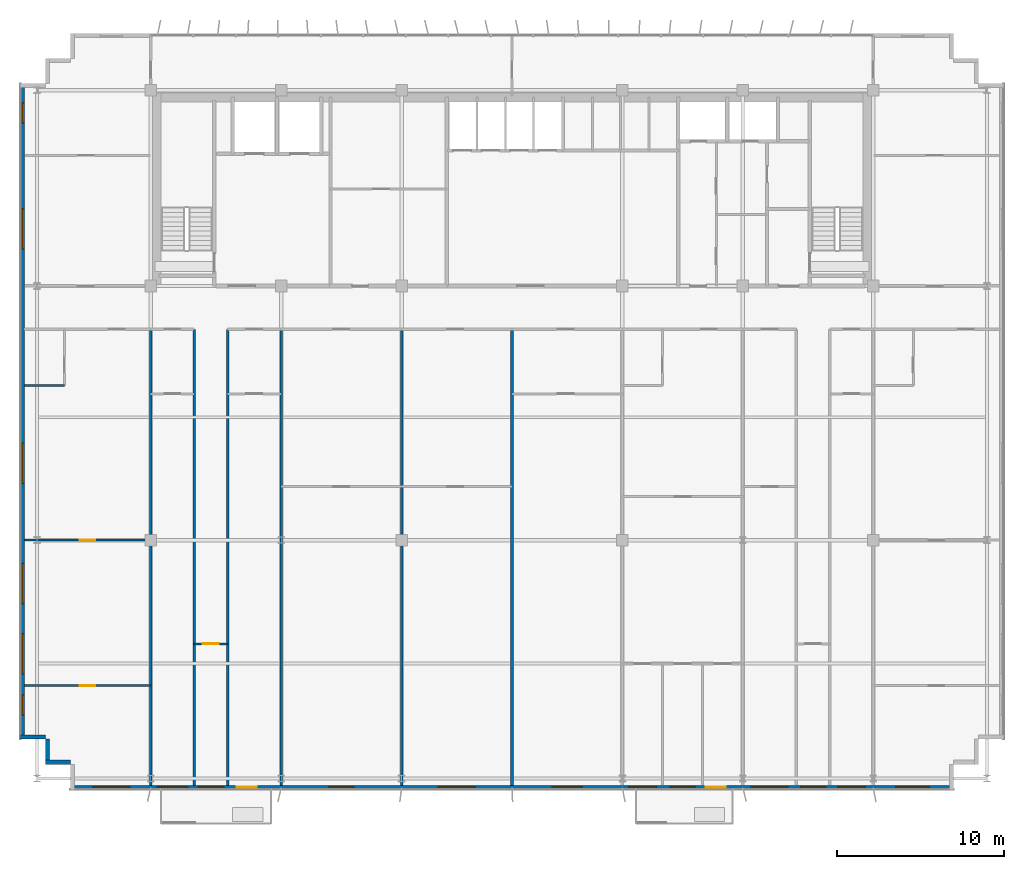
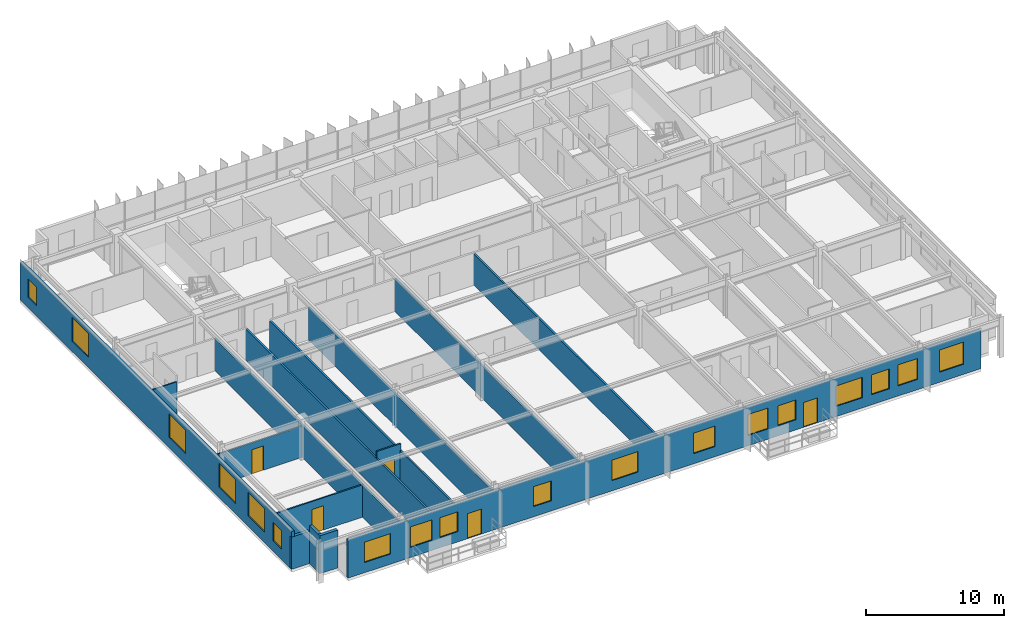
# One storey, part 14 of 20: 18 windows, 15 walls, 5 doors, 23 openings.
"""IFC4 building model written with IfcOpenShell, lengths in metres."""

import ifcopenshell
import ifcopenshell.guid

model = None  # the IFC model being written
_history = None  # IfcOwnerHistory: only IFC2X3 demands one
_inside = {}  # id of a spatial element -> (the spatial element, [elements in it])
_under = {}  # id of a project, library or spatial element -> (it, [spatial elements below it])
_declared = {}  # id of a project -> (the project, [libraries it declares])
_typed = {}  # id of a type object -> (the type object, [elements of that type])
_made_of = {}  # id of a material, layer set ... -> (it, [elements and type objects made of it])


def new_model(schema):
    """Start an empty IFC model of exactly this schema.

    Asked for "IFC4X3", IfcOpenShell would pick the latest addendum, in which some entities
    have other attributes; the version numbers below select the first issue.
    IFC2X3 requires an IfcOwnerHistory on every rooted entity: one is made here for all.
    """
    global model, _history
    if schema == "IFC4X3":
        model = ifcopenshell.file(schema_version=(4, 3, 0, 0))
    else:
        model = ifcopenshell.file(schema=schema)
    _inside.clear()
    _under.clear()
    _declared.clear()
    _typed.clear()
    _made_of.clear()
    _history = None
    if model.schema == "IFC2X3":
        org = make("IfcOrganization", Name="unknown")
        user = make(
            "IfcPersonAndOrganization",
            ThePerson=make("IfcPerson", FamilyName="unknown"),
            TheOrganization=org,
        )
        app = make(
            "IfcApplication",
            ApplicationDeveloper=org,
            Version="unknown",
            ApplicationFullName="unknown",
            ApplicationIdentifier="unknown",
        )
        _history = make(
            "IfcOwnerHistory",
            OwningUser=user,
            OwningApplication=app,
            ChangeAction="ADDED",
            CreationDate=0,
        )
    return model


def make(cls, **values):
    """One entity of the class cls with the attributes given. An attribute that is None is left unset."""
    return model.create_entity(
        cls, **{name: value for name, value in values.items() if value is not None}
    )


def rooted(cls, **values):
    """An entity with a GlobalId (a new one), such as an element, a storey or a relation."""
    return make(cls, GlobalId=ifcopenshell.guid.new(), OwnerHistory=_history, **values)


def si_unit(unit_type, name, prefix=None):
    """IfcSIUnit, for example si_unit("LENGTHUNIT", "METRE", prefix="MILLI")."""
    return make("IfcSIUnit", UnitType=unit_type, Prefix=prefix, Name=name)


def assignment(units):
    """IfcUnitAssignment: the units of a project."""
    return None if units is None else make("IfcUnitAssignment", Units=units)


def point(xyz):
    """IfcCartesianPoint."""
    return None if xyz is None else make("IfcCartesianPoint", Coordinates=xyz)


def direction(xyz):
    """IfcDirection."""
    return None if xyz is None else make("IfcDirection", DirectionRatios=xyz)


def frame(location, z_axis=None, x_axis=None):
    """IfcAxis2Placement3D, a coordinate frame: its origin and axes. An axis left out is left unset."""
    return make(
        "IfcAxis2Placement3D",
        Location=point(location),
        Axis=direction(z_axis),
        RefDirection=direction(x_axis),
    )


def frame_2d(location, x_axis=None):
    """IfcAxis2Placement2D, a coordinate frame in the plane: its origin and x axis."""
    return make(
        "IfcAxis2Placement2D", Location=point(location), RefDirection=direction(x_axis)
    )


def origin():
    """The frame at (0, 0, 0) with its axes left unset."""
    return frame((0.0, 0.0, 0.0))


def place(relative_to, where):
    """IfcLocalPlacement: puts the frame where relative to a parent placement (None: the world)."""
    return make(
        "IfcLocalPlacement", PlacementRelTo=relative_to, RelativePlacement=where
    )


def context(
    kind, dimensions, precision=None, world=None, true_north=None, identifier=None
):
    """IfcGeometricRepresentationContext, for example the 3D "Model" context."""
    return make(
        "IfcGeometricRepresentationContext",
        ContextIdentifier=identifier,
        ContextType=kind,
        CoordinateSpaceDimension=dimensions,
        Precision=precision,
        WorldCoordinateSystem=world,
        TrueNorth=true_north,
    )


def subcontext(parent, identifier, kind, view, scale=None):
    """IfcGeometricRepresentationSubContext, for example "Body" below "Model"."""
    return make(
        "IfcGeometricRepresentationSubContext",
        ContextIdentifier=identifier,
        ContextType=kind,
        ParentContext=parent,
        TargetScale=scale,
        TargetView=view,
    )


def project(units=None, contexts=None):
    """IfcProject with its units and contexts."""
    return rooted(
        "IfcProject",
        Name="project",
        RepresentationContexts=contexts,
        UnitsInContext=assignment(units),
    )


def spatial(cls, under=None, at=None, **own):
    """A site, building, storey or space (cls), placed at a placement, below another one or the project."""
    s = rooted(cls, ObjectPlacement=at, **own)
    if under is not None:
        _under.setdefault(under.id(), (under, []))[1].append(s)
    return s


def profile(cls, at=None, kind="AREA", **sizes):
    """A parametric profile (cls). Its sizes go by their IFC names, for example OverallWidth=200.0."""
    return make(cls, ProfileType=kind, Position=at, **sizes)


def rectangle(**sizes):
    """IfcRectangleProfileDef."""
    return profile("IfcRectangleProfileDef", **sizes)


def extrude(swept, where, along, depth):
    """IfcExtrudedAreaSolid: the profile swept, set in the frame where, extruded along a direction by depth."""
    return make(
        "IfcExtrudedAreaSolid",
        SweptArea=swept,
        Position=where,
        ExtrudedDirection=direction(along),
        Depth=depth,
    )


def shape(context_of_items, identifier, shape_type, items):
    """IfcShapeRepresentation: the items that make up one representation, for example the "Body"."""
    return make(
        "IfcShapeRepresentation",
        ContextOfItems=context_of_items,
        RepresentationIdentifier=identifier,
        RepresentationType=shape_type,
        Items=items,
    )


def source(mapping_origin, context_of_items, identifier, shape_type, items):
    """IfcRepresentationMap: a shape defined once, which mapped items show again and again."""
    return make(
        "IfcRepresentationMap",
        MappingOrigin=mapping_origin,
        MappedRepresentation=shape(context_of_items, identifier, shape_type, items),
    )


def transform(
    local_origin,
    x_axis=None,
    y_axis=None,
    z_axis=None,
    scale=None,
    scale2=None,
    scale3=None,
    uniform=True,
):
    """IfcCartesianTransformationOperator3D, or its non-uniform kind. x_axis, y_axis, z_axis: its Axis1, 2, 3."""
    if uniform:
        return make(
            "IfcCartesianTransformationOperator3D",
            Axis1=direction(x_axis),
            Axis2=direction(y_axis),
            LocalOrigin=point(local_origin),
            Scale=scale,
            Axis3=direction(z_axis),
        )
    return make(
        "IfcCartesianTransformationOperator3DnonUniform",
        Axis1=direction(x_axis),
        Axis2=direction(y_axis),
        LocalOrigin=point(local_origin),
        Scale=scale,
        Axis3=direction(z_axis),
        Scale2=scale2,
        Scale3=scale3,
    )


def mapped(mapping_source, mapping_target):
    """IfcMappedItem: shows the shape of a source again, moved by a transform."""
    return make(
        "IfcMappedItem", MappingSource=mapping_source, MappingTarget=mapping_target
    )


def material(Name=None, Category=None):
    """IfcMaterial."""
    return make("IfcMaterial", Name=Name, Category=Category)


def layer(
    of_material, thickness, ventilated=None, Name=None, Category=None, Priority=None
):
    """IfcMaterialLayer: one layer of a wall or slab, of a material (None: an air gap)."""
    return make(
        "IfcMaterialLayer",
        Material=of_material,
        LayerThickness=thickness,
        IsVentilated=ventilated,
        Name=Name,
        Category=Category,
        Priority=Priority,
    )


def layer_set(layers, Name=None):
    """IfcMaterialLayerSet."""
    return make("IfcMaterialLayerSet", MaterialLayers=layers, LayerSetName=Name)


def made_of(thing, what):
    """Note that an element or type object is made of a material, layer set ...; save() writes the relation."""
    if what is not None:
        _made_of.setdefault(what.id(), (what, []))[1].append(thing)
    return thing


def type_object(cls, material=None, **own):
    """A type object (cls), such as IfcWallType, which elements share."""
    return made_of(rooted(cls, **own), material)


def element(
    cls,
    number,
    at=None,
    inside=None,
    cuts=None,
    type_object=None,
    material=None,
    context=None,
    identifier="Body",
    shape_type=None,
    held_by="IfcProductDefinitionShape",
    body=None,
    shapes=None,
    **own,
):
    """One element of the class cls, such as IfcWall. Its Tag is "e" and its number.

    at: its placement. inside: the storey or other place that contains it. cuts: it is an
    opening in that element (IfcRelVoidsElement). A single representation is given by context,
    identifier, shape_type and body (its items); several are given by shapes. held_by: the class
    of the entity that holds the representations. save() writes the other relations.
    """
    e = rooted(cls, Tag="e%d" % number, ObjectPlacement=at, **own)
    if body is not None:
        shapes = [shape(context, identifier, shape_type, body)]
    if shapes is not None:
        e.Representation = make(held_by, Representations=shapes)
    if inside is not None:
        _inside.setdefault(inside.id(), (inside, []))[1].append(e)
    if cuts is not None:
        rooted(
            "IfcRelVoidsElement", RelatingBuildingElement=cuts, RelatedOpeningElement=e
        )
    if type_object is not None:
        _typed.setdefault(type_object.id(), (type_object, []))[1].append(e)
    return made_of(e, material)


def fill(opening, filler):
    """IfcRelFillsElement: the door or window that sits in an opening."""
    return rooted(
        "IfcRelFillsElement",
        RelatingOpeningElement=opening,
        RelatedBuildingElement=filler,
    )


def aggregate(whole, parts):
    """IfcRelAggregates: a whole, such as a stair, and the parts it consists of."""
    return rooted("IfcRelAggregates", RelatingObject=whole, RelatedObjects=parts)


def save(model, path):
    """Write the relations noted so far, then the file.

    IfcRelAggregates (storeys below a building ...), IfcRelContainedInSpatialStructure (elements
    in a storey), IfcRelDefinesByType, IfcRelAssociatesMaterial and IfcRelDeclares: one each for
    every whole, place, type object, material and project.
    """
    for whole, parts in _under.values():
        aggregate(whole, parts)
    for where, things in _inside.values():
        rooted(
            "IfcRelContainedInSpatialStructure",
            RelatedElements=things,
            RelatingStructure=where,
        )
    for kind, things in _typed.values():
        rooted("IfcRelDefinesByType", RelatedObjects=things, RelatingType=kind)
    for what, things in _made_of.values():
        rooted("IfcRelAssociatesMaterial", RelatedObjects=things, RelatingMaterial=what)
    for by, libraries in _declared.values():
        rooted("IfcRelDeclares", RelatingContext=by, RelatedDefinitions=libraries)
    model.write(path)


model = new_model("IFC4")

# Units and contexts
model_context = context("Model", 3, precision=1e-05, world=origin(), true_north=direction((0.0, 1.0)))
body_context = subcontext(model_context, "Body", "Model", "MODEL_VIEW")
ifc_project = project(units=[si_unit("LENGTHUNIT", "METRE"), si_unit("AREAUNIT", "SQUARE_METRE"), si_unit("VOLUMEUNIT", "CUBIC_METRE"), si_unit("PLANEANGLEUNIT", "RADIAN"), si_unit("MASSUNIT", "GRAM", prefix="KILO")], contexts=[model_context])

# Site, building, storey
site_placement = place(None, origin())
site = spatial("IfcSite", under=ifc_project, at=site_placement, CompositionType="ELEMENT")
building_placement = place(site_placement, origin())
building = spatial("IfcBuilding", under=site, at=building_placement, Name="Trelvane Seafront Commons", CompositionType="ELEMENT")
storey_placement = place(building_placement, frame((0.0, 0.0, 164.5)))
storey = spatial("IfcBuildingStorey", under=building, at=storey_placement, Name="L43", CompositionType="ELEMENT", Elevation=164.5)

# Walls
ifc_material_1 = material(Name="Precast concrete C40/50", Category="concrete")
ifc_layer_1 = layer(ifc_material_1, 0.239990234375, Name="ARCH-WALL-EXT240")
ifc_layer_set_1 = layer_set([ifc_layer_1], Name="Precast concrete C40/50")
wall_type_1 = type_object("IfcWallType", Name="ARCH-WALL-EXT240", PredefinedType="SOLIDWALL", material=ifc_layer_set_1)
for number, where, z_axis, x_axis, name in (
    (1, (10.800048828125, 4.919921875, 0.0), (0.0, 0.0, 1.0), (-1.0, 0.0, 0.0), "EW-L43-00844"),
    (2, (9.419921875, 4.800048828125, 0.0), (0.0, 0.0, 1.0), (0.0, 1.0, 0.0), "EW-L43-00845"),
):
    element("IfcWall", number, at=place(storey_placement, frame(where, z_axis=z_axis, x_axis=x_axis)), inside=storey, type_object=wall_type_1, Name=name, PredefinedType="SOLIDWALL", context=body_context, shape_type="SweptSolid", body=[
        extrude(rectangle(XDim=1.5, YDim=0.239990234375, at=frame_2d((0.75, 0.0))), origin(), (0.0, 0.0, 1.0), 3.35009765625),
    ])
wall_1_placement = place(storey_placement, frame((9.300048828125, 6.419921875, 0.0), z_axis=(0.0, 0.0, 1.0), x_axis=(-1.0, 0.0, 0.0)))
element("IfcWall", 3, at=wall_1_placement, inside=storey, type_object=wall_type_1, Name="EW-L43-00846", PredefinedType="SOLIDWALL", context=body_context, shape_type="SweptSolid", body=[
    extrude(rectangle(XDim=1.5, YDim=0.239990234375, at=frame_2d((0.75, 0.0))), origin(), (0.0, 0.0, 1.0), 2.85009765625),
])

# Wall, openings, windows
wall_2_placement = place(storey_placement, frame((7.919921875, 6.300048828125, 0.0), z_axis=(0.0, 0.0, 1.0), x_axis=(0.0, 1.0, 0.0)))
wall_2 = element("IfcWall", 4, at=wall_2_placement, inside=storey, type_object=wall_type_1, Name="EW-L43-00847", PredefinedType="SOLIDWALL", context=body_context, shape_type="SweptSolid", body=[
    extrude(rectangle(XDim=39.199951171875, YDim=0.239990234375, at=frame_2d((19.60009765625, 0.0))), origin(), (0.0, 0.0, 1.0), 3.35009765625),
])
opening_1_placement = place(wall_2_placement, frame((1.449951171875, 0.0, 0.919921875)))
opening_1 = element("IfcOpeningElement", 5, at=opening_1_placement, cuts=wall_2, Name="Opening W05", PredefinedType="OPENING", context=body_context, shape_type="SweptSolid", body=[
    extrude(rectangle(XDim=1.199951171875, YDim=1.64990234375, at=frame_2d((0.60009765625, 0.824951171875))), frame((0.0, 0.1298828125, 0.0), z_axis=(0.0, -1.0, 0.0), x_axis=(1.0, 0.0, 0.0)), (0.0, 0.0, 1.0), 0.260009765625),
])
opening_2_placement = place(wall_2_placement, frame((3.89990234375, 0.0, 0.919921875)))
opening_2 = element("IfcOpeningElement", 6, at=opening_2_placement, cuts=wall_2, Name="Opening W08", PredefinedType="OPENING", context=body_context, shape_type="SweptSolid", body=[
    extrude(rectangle(XDim=2.39990234375, YDim=2.10009765625, at=frame_2d((1.199951171875, 1.050048828125))), frame((0.0, 0.1298828125, 0.0), z_axis=(0.0, -1.0, 0.0), x_axis=(1.0, 0.0, 0.0)), (0.0, 0.0, 1.0), 0.260009765625),
])
opening_3_placement = place(wall_2_placement, frame((8.10009765625, 0.0, 0.919921875)))
opening_3 = element("IfcOpeningElement", 7, at=opening_3_placement, cuts=wall_2, Name="Opening W08", PredefinedType="OPENING", context=body_context, shape_type="SweptSolid", body=[
    extrude(rectangle(XDim=2.39990234375, YDim=2.10009765625, at=frame_2d((1.199951171875, 1.050048828125))), frame((0.0, 0.1298828125, 0.0), z_axis=(0.0, -1.0, 0.0), x_axis=(1.0, 0.0, 0.0)), (0.0, 0.0, 1.0), 0.260009765625),
])
opening_4_placement = place(wall_2_placement, frame((15.300048828125, 0.0, 0.919921875)))
opening_4 = element("IfcOpeningElement", 8, at=opening_4_placement, cuts=wall_2, Name="Opening W08", PredefinedType="OPENING", context=body_context, shape_type="SweptSolid", body=[
    extrude(rectangle(XDim=2.39990234375, YDim=2.10009765625, at=frame_2d((1.199951171875, 1.050048828125))), frame((0.0, 0.1298828125, 0.0), z_axis=(0.0, -1.0, 0.0), x_axis=(1.0, 0.0, 0.0)), (0.0, 0.0, 1.0), 0.260009765625),
])
opening_5_placement = place(wall_2_placement, frame((29.300048828125, 0.0, 0.919921875)))
opening_5 = element("IfcOpeningElement", 9, at=opening_5_placement, cuts=wall_2, Name="Opening W08", PredefinedType="OPENING", context=body_context, shape_type="SweptSolid", body=[
    extrude(rectangle(XDim=2.39990234375, YDim=2.10009765625, at=frame_2d((1.199951171875, 1.050048828125))), frame((0.0, 0.1298828125, 0.0), z_axis=(0.0, -1.0, 0.0), x_axis=(1.0, 0.0, 0.0)), (0.0, 0.0, 1.0), 0.260009765625),
])
opening_6_placement = place(wall_2_placement, frame((36.85009765625, 0.0, 0.919921875)))
opening_6 = element("IfcOpeningElement", 10, at=opening_6_placement, cuts=wall_2, Name="Opening W05", PredefinedType="OPENING", context=body_context, shape_type="SweptSolid", body=[
    extrude(rectangle(XDim=1.199951171875, YDim=1.64990234375, at=frame_2d((0.60009765625, 0.824951171875))), frame((0.0, 0.1298828125, 0.0), z_axis=(0.0, -1.0, 0.0), x_axis=(1.0, 0.0, 0.0)), (0.0, 0.0, 1.0), 0.260009765625),
])
ifc_material_2 = material(Name="Low-E coastal double glazing", Category="glass")
window_type_1 = type_object("IfcWindowType", Name="ARCH-WIN-W08", PartitioningType="SINGLE_PANEL", PredefinedType="WINDOW", material=ifc_material_2)
shared_shape_1 = source(origin(), body_context, "Body", "SweptSolid", [
    extrude(rectangle(XDim=2.39990234375, YDim=2.10009765625, at=frame_2d((1.199951171875, 1.050048828125))), frame((0.0, 0.030029296875, 0.0), z_axis=(0.0, -1.0, 0.0), x_axis=(1.0, 0.0, 0.0)), (0.0, 0.0, 1.0), 0.06005859375),
])
window_1_placement = place(opening_2_placement, origin())
window_1 = element("IfcWindow", 11, at=window_1_placement, inside=storey, type_object=window_type_1, Name="WIN-L43-EW-01015", OverallHeight=2.10009765625, OverallWidth=2.39990234375, PartitioningType="SINGLE_PANEL", PredefinedType="WINDOW", context=body_context, shape_type="MappedRepresentation", body=[
    mapped(shared_shape_1, transform((0.0, 0.0, 0.0), x_axis=(1.0, 0.0, 0.0), y_axis=(0.0, 1.0, 0.0), z_axis=(0.0, 0.0, 1.0), scale=1.0)),
])
fill(opening_2, window_1)
window_2_placement = place(opening_3_placement, origin())
window_2 = element("IfcWindow", 12, at=window_2_placement, inside=storey, type_object=window_type_1, Name="WIN-L43-EW-01016", OverallHeight=2.10009765625, OverallWidth=2.39990234375, PartitioningType="SINGLE_PANEL", PredefinedType="WINDOW", context=body_context, shape_type="MappedRepresentation", body=[
    mapped(shared_shape_1, transform((0.0, 0.0, 0.0), x_axis=(1.0, 0.0, 0.0), y_axis=(0.0, 1.0, 0.0), z_axis=(0.0, 0.0, 1.0), scale=1.0)),
])
fill(opening_3, window_2)
window_3_placement = place(opening_4_placement, origin())
window_3 = element("IfcWindow", 13, at=window_3_placement, inside=storey, type_object=window_type_1, Name="WIN-L43-EW-01017", OverallHeight=2.10009765625, OverallWidth=2.39990234375, PartitioningType="SINGLE_PANEL", PredefinedType="WINDOW", context=body_context, shape_type="MappedRepresentation", body=[
    mapped(shared_shape_1, transform((0.0, 0.0, 0.0), x_axis=(1.0, 0.0, 0.0), y_axis=(0.0, 1.0, 0.0), z_axis=(0.0, 0.0, 1.0), scale=1.0)),
])
fill(opening_4, window_3)
window_4_placement = place(opening_5_placement, origin())
window_4 = element("IfcWindow", 14, at=window_4_placement, inside=storey, type_object=window_type_1, Name="WIN-L43-EW-01018", OverallHeight=2.10009765625, OverallWidth=2.39990234375, PartitioningType="SINGLE_PANEL", PredefinedType="WINDOW", context=body_context, shape_type="MappedRepresentation", body=[
    mapped(shared_shape_1, transform((0.0, 0.0, 0.0), x_axis=(1.0, 0.0, 0.0), y_axis=(0.0, 1.0, 0.0), z_axis=(0.0, 0.0, 1.0), scale=1.0)),
])
fill(opening_5, window_4)
window_type_2 = type_object("IfcWindowType", Name="ARCH-WIN-W05", PartitioningType="SINGLE_PANEL", PredefinedType="WINDOW", material=ifc_material_2)
shared_shape_2 = source(origin(), body_context, "Body", "SweptSolid", [
    extrude(rectangle(XDim=1.199951171875, YDim=1.64990234375, at=frame_2d((0.60009765625, 0.824951171875))), frame((0.0, 0.030029296875, 0.0), z_axis=(0.0, -1.0, 0.0), x_axis=(1.0, 0.0, 0.0)), (0.0, 0.0, 1.0), 0.06005859375),
])
window_5_placement = place(opening_1_placement, origin())
window_5 = element("IfcWindow", 15, at=window_5_placement, inside=storey, type_object=window_type_2, Name="WIN-L43-EW-01014", OverallHeight=1.64990234375, OverallWidth=1.199951171875, PartitioningType="SINGLE_PANEL", PredefinedType="WINDOW", context=body_context, shape_type="MappedRepresentation", body=[
    mapped(shared_shape_2, transform((0.0, 0.0, 0.0), x_axis=(1.0, 0.0, 0.0), y_axis=(0.0, 1.0, 0.0), z_axis=(0.0, 0.0, 1.0), scale=1.0)),
])
fill(opening_1, window_5)
window_6_placement = place(opening_6_placement, origin())
window_6 = element("IfcWindow", 16, at=window_6_placement, inside=storey, type_object=window_type_2, Name="WIN-L43-EW-01019", OverallHeight=1.64990234375, OverallWidth=1.199951171875, PartitioningType="SINGLE_PANEL", PredefinedType="WINDOW", context=body_context, shape_type="MappedRepresentation", body=[
    mapped(shared_shape_2, transform((0.0, 0.0, 0.0), x_axis=(1.0, 0.0, 0.0), y_axis=(0.0, 1.0, 0.0), z_axis=(0.0, 0.0, 1.0), scale=1.0)),
])
fill(opening_6, window_6)

# Wall, openings, doors, windows
wall_3_placement = place(storey_placement, frame((63.60009765625, 3.419921875, 0.0), z_axis=(0.0, 0.0, 1.0), x_axis=(-1.0, 0.0, 0.0)))
wall_3 = element("IfcWall", 17, at=wall_3_placement, inside=storey, type_object=wall_type_1, Name="EW-L43-00861", PredefinedType="SOLIDWALL", context=body_context, shape_type="SweptSolid", body=[
    extrude(rectangle(XDim=52.800048828125, YDim=0.239990234375, at=frame_2d((26.39990234375, 0.0))), origin(), (0.0, 0.0, 1.0), 3.35009765625),
])
opening_7_placement = place(wall_3_placement, frame((1.445068359375, 0.0, 0.89990234375)))
opening_7 = element("IfcOpeningElement", 18, at=opening_7_placement, cuts=wall_3, Name="Opening W06", PredefinedType="OPENING", context=body_context, shape_type="SweptSolid", body=[
    extrude(rectangle(XDim=2.0, YDim=1.949951171875, at=frame_2d((1.0, 0.97509765625))), frame((0.0, 0.1298828125, 0.0), z_axis=(0.0, -1.0, 0.0), x_axis=(1.0, 0.0, 0.0)), (0.0, 0.0, 1.0), 0.260009765625),
])
opening_8_placement = place(wall_3_placement, frame((5.27490234375, 0.0, 0.89990234375)))
opening_8 = element("IfcOpeningElement", 19, at=opening_8_placement, cuts=wall_3, Name="Opening W07", PredefinedType="OPENING", context=body_context, shape_type="SweptSolid", body=[
    extrude(rectangle(XDim=1.64990234375, YDim=1.85009765625, at=frame_2d((0.824951171875, 0.925048828125))), frame((0.0, 0.1298828125, 0.0), z_axis=(0.0, -1.0, 0.0), x_axis=(1.0, 0.0, 0.0)), (0.0, 0.0, 1.0), 0.260009765625),
])
opening_9_placement = place(wall_3_placement, frame((7.64990234375, 0.0, 0.89990234375)))
opening_9 = element("IfcOpeningElement", 20, at=opening_9_placement, cuts=wall_3, Name="Opening W03", PredefinedType="OPENING", context=body_context, shape_type="SweptSolid", body=[
    extrude(rectangle(XDim=1.5, YDim=1.75, at=frame_2d((0.75, 0.875))), frame((0.0, 0.1298828125, 0.0), z_axis=(0.0, -1.0, 0.0), x_axis=(1.0, 0.0, 0.0)), (0.0, 0.0, 1.0), 0.260009765625),
])
opening_10_placement = place(wall_3_placement, frame((9.89990234375, 0.0, 0.89990234375)))
opening_10 = element("IfcOpeningElement", 21, at=opening_10_placement, cuts=wall_3, Name="Opening W02", PredefinedType="OPENING", context=body_context, shape_type="SweptSolid", body=[
    extrude(rectangle(XDim=2.199951171875, YDim=1.800048828125, at=frame_2d((1.10009765625, 0.89990234375))), frame((0.0, 0.1298828125, 0.0), z_axis=(0.0, -1.0, 0.0), x_axis=(1.0, 0.0, 0.0)), (0.0, 0.0, 1.0), 0.260009765625),
])
opening_11_placement = place(wall_3_placement, frame((13.6201171875, 0.0, 0.0)))
opening_11 = element("IfcOpeningElement", 22, at=opening_11_placement, cuts=wall_3, Name="Opening BD-L43-99", PredefinedType="OPENING", context=body_context, shape_type="SweptSolid", body=[
    extrude(rectangle(XDim=1.199951171875, YDim=2.199951171875, at=frame_2d((0.60009765625, 1.10009765625))), frame((0.0, 0.1298828125, 0.0), z_axis=(0.0, -1.0, 0.0), x_axis=(1.0, 0.0, 0.0)), (0.0, 0.0, 1.0), 0.260009765625),
])
opening_12_placement = place(wall_3_placement, frame((15.449951171875, 0.0, 0.89990234375)))
opening_12 = element("IfcOpeningElement", 23, at=opening_12_placement, cuts=wall_3, Name="Opening W03", PredefinedType="OPENING", context=body_context, shape_type="SweptSolid", body=[
    extrude(rectangle(XDim=1.5, YDim=1.75, at=frame_2d((0.75, 0.875))), frame((0.0, 0.1298828125, 0.0), z_axis=(0.0, -1.0, 0.0), x_axis=(1.0, 0.0, 0.0)), (0.0, 0.0, 1.0), 0.260009765625),
])
opening_13_placement = place(wall_3_placement, frame((17.77490234375, 0.0, 0.89990234375)))
opening_13 = element("IfcOpeningElement", 24, at=opening_13_placement, cuts=wall_3, Name="Opening W07", PredefinedType="OPENING", context=body_context, shape_type="SweptSolid", body=[
    extrude(rectangle(XDim=1.64990234375, YDim=1.85009765625, at=frame_2d((0.824951171875, 0.925048828125))), frame((0.0, 0.1298828125, 0.0), z_axis=(0.0, -1.0, 0.0), x_axis=(1.0, 0.0, 0.0)), (0.0, 0.0, 1.0), 0.260009765625),
])
opening_14_placement = place(wall_3_placement, frame((22.199951171875, 0.0, 0.89990234375)))
opening_14 = element("IfcOpeningElement", 25, at=opening_14_placement, cuts=wall_3, Name="Opening W01", PredefinedType="OPENING", context=body_context, shape_type="SweptSolid", body=[
    extrude(rectangle(XDim=1.800048828125, YDim=1.800048828125, at=frame_2d((0.89990234375, 0.89990234375))), frame((0.0, 0.1298828125, 0.0), z_axis=(0.0, -1.0, 0.0), x_axis=(1.0, 0.0, 0.0)), (0.0, 0.0, 1.0), 0.260009765625),
])
opening_15_placement = place(wall_3_placement, frame((28.60009765625, 0.0, 0.89990234375)))
opening_15 = element("IfcOpeningElement", 26, at=opening_15_placement, cuts=wall_3, Name="Opening W02", PredefinedType="OPENING", context=body_context, shape_type="SweptSolid", body=[
    extrude(rectangle(XDim=2.199951171875, YDim=1.800048828125, at=frame_2d((1.10009765625, 0.89990234375))), frame((0.0, 0.1298828125, 0.0), z_axis=(0.0, -1.0, 0.0), x_axis=(1.0, 0.0, 0.0)), (0.0, 0.0, 1.0), 0.260009765625),
])
opening_16_placement = place(wall_3_placement, frame((35.85009765625, 0.0, 0.89990234375)))
opening_16 = element("IfcOpeningElement", 27, at=opening_16_placement, cuts=wall_3, Name="Opening W03", PredefinedType="OPENING", context=body_context, shape_type="SweptSolid", body=[
    extrude(rectangle(XDim=1.5, YDim=1.75, at=frame_2d((0.75, 0.875))), frame((0.0, 0.1298828125, 0.0), z_axis=(0.0, -1.0, 0.0), x_axis=(1.0, 0.0, 0.0)), (0.0, 0.0, 1.0), 0.260009765625),
])
opening_17_placement = place(wall_3_placement, frame((41.656005859375, 0.0, 0.0)))
opening_17 = element("IfcOpeningElement", 28, at=opening_17_placement, cuts=wall_3, Name="Opening BD-L43-100", PredefinedType="OPENING", context=body_context, shape_type="SweptSolid", body=[
    extrude(rectangle(XDim=1.199951171875, YDim=2.199951171875, at=frame_2d((0.60009765625, 1.10009765625))), frame((0.0, 0.1298828125, 0.0), z_axis=(0.0, -1.0, 0.0), x_axis=(1.0, 0.0, 0.0)), (0.0, 0.0, 1.0), 0.260009765625),
])
opening_18_placement = place(wall_3_placement, frame((43.64990234375, 0.0, 0.89990234375)))
opening_18 = element("IfcOpeningElement", 29, at=opening_18_placement, cuts=wall_3, Name="Opening W03", PredefinedType="OPENING", context=body_context, shape_type="SweptSolid", body=[
    extrude(rectangle(XDim=1.5, YDim=1.75, at=frame_2d((0.75, 0.875))), frame((0.0, 0.1298828125, 0.0), z_axis=(0.0, -1.0, 0.0), x_axis=(1.0, 0.0, 0.0)), (0.0, 0.0, 1.0), 0.260009765625),
])
opening_19_placement = place(wall_3_placement, frame((45.800048828125, 0.0, 0.89990234375)))
opening_19 = element("IfcOpeningElement", 30, at=opening_19_placement, cuts=wall_3, Name="Opening W01", PredefinedType="OPENING", context=body_context, shape_type="SweptSolid", body=[
    extrude(rectangle(XDim=1.800048828125, YDim=1.800048828125, at=frame_2d((0.89990234375, 0.89990234375))), frame((0.0, 0.1298828125, 0.0), z_axis=(0.0, -1.0, 0.0), x_axis=(1.0, 0.0, 0.0)), (0.0, 0.0, 1.0), 0.260009765625),
])
opening_20_placement = place(wall_3_placement, frame((49.2548828125, 0.0, 0.89990234375)))
opening_20 = element("IfcOpeningElement", 31, at=opening_20_placement, cuts=wall_3, Name="Opening W02", PredefinedType="OPENING", context=body_context, shape_type="SweptSolid", body=[
    extrude(rectangle(XDim=2.199951171875, YDim=1.800048828125, at=frame_2d((1.10009765625, 0.89990234375))), frame((0.0, 0.1298828125, 0.0), z_axis=(0.0, -1.0, 0.0), x_axis=(1.0, 0.0, 0.0)), (0.0, 0.0, 1.0), 0.260009765625),
])
ifc_material_3 = material(Name="Powder-coated aluminium frame", Category="aluminium")
door_type_1 = type_object("IfcDoorType", Name="ARCH-DR-BAL1200", OperationType="NOTDEFINED", PredefinedType="DOOR", material=ifc_material_3)
shared_shape_3 = source(origin(), body_context, "Body", "SweptSolid", [
    extrude(rectangle(XDim=1.199951171875, YDim=2.199951171875, at=frame_2d((0.60009765625, 1.10009765625))), frame((0.0, 0.02490234375, 0.0), z_axis=(0.0, -1.0, 0.0), x_axis=(1.0, 0.0, 0.0)), (0.0, 0.0, 1.0), 0.050048828125),
])
door_1_placement = place(opening_11_placement, origin())
door_1 = element("IfcDoor", 32, at=door_1_placement, inside=storey, type_object=door_type_1, Name="L43 Balcony Terrace Access Door", OperationType="SINGLE_SWING_LEFT", OverallHeight=2.199951171875, OverallWidth=1.199951171875, PredefinedType="DOOR", context=body_context, shape_type="MappedRepresentation", body=[
    mapped(shared_shape_3, transform((0.0, 0.0, 0.0), x_axis=(1.0, 0.0, 0.0), y_axis=(0.0, 1.0, 0.0), z_axis=(0.0, 0.0, 1.0), scale=1.0)),
])
fill(opening_11, door_1)
door_2_placement = place(opening_17_placement, origin())
door_2 = element("IfcDoor", 33, at=door_2_placement, inside=storey, type_object=door_type_1, Name="L43 Balcony Terrace Access Door", OperationType="SINGLE_SWING_LEFT", OverallHeight=2.199951171875, OverallWidth=1.199951171875, PredefinedType="DOOR", context=body_context, shape_type="MappedRepresentation", body=[
    mapped(shared_shape_3, transform((0.0, 0.0, 0.0), x_axis=(1.0, 0.0, 0.0), y_axis=(0.0, 1.0, 0.0), z_axis=(0.0, 0.0, 1.0), scale=1.0)),
])
fill(opening_17, door_2)
window_type_3 = type_object("IfcWindowType", Name="ARCH-WIN-W02", PartitioningType="SINGLE_PANEL", PredefinedType="WINDOW", material=ifc_material_2)
shared_shape_4 = source(origin(), body_context, "Body", "SweptSolid", [
    extrude(rectangle(XDim=2.199951171875, YDim=1.800048828125, at=frame_2d((1.10009765625, 0.89990234375))), frame((0.0, 0.030029296875, 0.0), z_axis=(0.0, -1.0, 0.0), x_axis=(1.0, 0.0, 0.0)), (0.0, 0.0, 1.0), 0.06005859375),
])
window_7_placement = place(opening_10_placement, origin())
window_7 = element("IfcWindow", 34, at=window_7_placement, inside=storey, type_object=window_type_3, Name="WIN-L43-01029", OverallHeight=1.800048828125, OverallWidth=2.199951171875, PartitioningType="SINGLE_PANEL", PredefinedType="WINDOW", context=body_context, shape_type="MappedRepresentation", body=[
    mapped(shared_shape_4, transform((0.0, 0.0, 0.0), x_axis=(1.0, 0.0, 0.0), y_axis=(0.0, 1.0, 0.0), z_axis=(0.0, 0.0, 1.0), scale=1.0)),
])
fill(opening_10, window_7)
window_8_placement = place(opening_15_placement, origin())
window_8 = element("IfcWindow", 35, at=window_8_placement, inside=storey, type_object=window_type_3, Name="WIN-L43-01033", OverallHeight=1.800048828125, OverallWidth=2.199951171875, PartitioningType="SINGLE_PANEL", PredefinedType="WINDOW", context=body_context, shape_type="MappedRepresentation", body=[
    mapped(shared_shape_4, transform((0.0, 0.0, 0.0), x_axis=(1.0, 0.0, 0.0), y_axis=(0.0, 1.0, 0.0), z_axis=(0.0, 0.0, 1.0), scale=1.0)),
])
fill(opening_15, window_8)
window_9_placement = place(opening_20_placement, origin())
window_9 = element("IfcWindow", 36, at=window_9_placement, inside=storey, type_object=window_type_3, Name="WIN-L43-01037", OverallHeight=1.800048828125, OverallWidth=2.199951171875, PartitioningType="SINGLE_PANEL", PredefinedType="WINDOW", context=body_context, shape_type="MappedRepresentation", body=[
    mapped(shared_shape_4, transform((0.0, 0.0, 0.0), x_axis=(1.0, 0.0, 0.0), y_axis=(0.0, 1.0, 0.0), z_axis=(0.0, 0.0, 1.0), scale=1.0)),
])
fill(opening_20, window_9)
window_type_4 = type_object("IfcWindowType", Name="ARCH-WIN-W03", PartitioningType="SINGLE_PANEL", PredefinedType="WINDOW", material=ifc_material_2)
shared_shape_5 = source(origin(), body_context, "Body", "SweptSolid", [
    extrude(rectangle(XDim=1.5, YDim=1.75, at=frame_2d((0.75, 0.875))), frame((0.0, 0.030029296875, 0.0), z_axis=(0.0, -1.0, 0.0), x_axis=(1.0, 0.0, 0.0)), (0.0, 0.0, 1.0), 0.06005859375),
])
window_10_placement = place(opening_9_placement, origin())
window_10 = element("IfcWindow", 37, at=window_10_placement, inside=storey, type_object=window_type_4, Name="WIN-L43-01028", OverallHeight=1.75, OverallWidth=1.5, PartitioningType="SINGLE_PANEL", PredefinedType="WINDOW", context=body_context, shape_type="MappedRepresentation", body=[
    mapped(shared_shape_5, transform((0.0, 0.0, 0.0), x_axis=(1.0, 0.0, 0.0), y_axis=(0.0, 1.0, 0.0), z_axis=(0.0, 0.0, 1.0), scale=1.0)),
])
fill(opening_9, window_10)
window_11_placement = place(opening_12_placement, origin())
window_11 = element("IfcWindow", 38, at=window_11_placement, inside=storey, type_object=window_type_4, Name="WIN-L43-01030", OverallHeight=1.75, OverallWidth=1.5, PartitioningType="SINGLE_PANEL", PredefinedType="WINDOW", context=body_context, shape_type="MappedRepresentation", body=[
    mapped(shared_shape_5, transform((0.0, 0.0, 0.0), x_axis=(1.0, 0.0, 0.0), y_axis=(0.0, 1.0, 0.0), z_axis=(0.0, 0.0, 1.0), scale=1.0)),
])
fill(opening_12, window_11)
window_12_placement = place(opening_16_placement, origin())
window_12 = element("IfcWindow", 39, at=window_12_placement, inside=storey, type_object=window_type_4, Name="WIN-L43-01034", OverallHeight=1.75, OverallWidth=1.5, PartitioningType="SINGLE_PANEL", PredefinedType="WINDOW", context=body_context, shape_type="MappedRepresentation", body=[
    mapped(shared_shape_5, transform((0.0, 0.0, 0.0), x_axis=(1.0, 0.0, 0.0), y_axis=(0.0, 1.0, 0.0), z_axis=(0.0, 0.0, 1.0), scale=1.0)),
])
fill(opening_16, window_12)
window_13_placement = place(opening_18_placement, origin())
window_13 = element("IfcWindow", 40, at=window_13_placement, inside=storey, type_object=window_type_4, Name="WIN-L43-01035", OverallHeight=1.75, OverallWidth=1.5, PartitioningType="SINGLE_PANEL", PredefinedType="WINDOW", context=body_context, shape_type="MappedRepresentation", body=[
    mapped(shared_shape_5, transform((0.0, 0.0, 0.0), x_axis=(1.0, 0.0, 0.0), y_axis=(0.0, 1.0, 0.0), z_axis=(0.0, 0.0, 1.0), scale=1.0)),
])
fill(opening_18, window_13)
window_type_5 = type_object("IfcWindowType", Name="ARCH-WIN-W06", PartitioningType="SINGLE_PANEL", PredefinedType="WINDOW", material=ifc_material_2)
shared_shape_6 = source(origin(), body_context, "Body", "SweptSolid", [
    extrude(rectangle(XDim=2.0, YDim=1.949951171875, at=frame_2d((1.0, 0.97509765625))), frame((0.0, 0.030029296875, 0.0), z_axis=(0.0, -1.0, 0.0), x_axis=(1.0, 0.0, 0.0)), (0.0, 0.0, 1.0), 0.06005859375),
])
window_14_placement = place(opening_7_placement, origin())
window_14 = element("IfcWindow", 41, at=window_14_placement, inside=storey, type_object=window_type_5, Name="WIN-L43-01026", OverallHeight=1.949951171875, OverallWidth=2.0, PartitioningType="SINGLE_PANEL", PredefinedType="WINDOW", context=body_context, shape_type="MappedRepresentation", body=[
    mapped(shared_shape_6, transform((0.0, 0.0, 0.0), x_axis=(1.0, 0.0, 0.0), y_axis=(0.0, 1.0, 0.0), z_axis=(0.0, 0.0, 1.0), scale=1.0)),
])
fill(opening_7, window_14)
window_type_6 = type_object("IfcWindowType", Name="ARCH-WIN-W01", PartitioningType="SINGLE_PANEL", PredefinedType="WINDOW", material=ifc_material_2)
shared_shape_7 = source(origin(), body_context, "Body", "SweptSolid", [
    extrude(rectangle(XDim=1.800048828125, YDim=1.800048828125, at=frame_2d((0.89990234375, 0.89990234375))), frame((0.0, 0.030029296875, 0.0), z_axis=(0.0, -1.0, 0.0), x_axis=(1.0, 0.0, 0.0)), (0.0, 0.0, 1.0), 0.06005859375),
])
window_15_placement = place(opening_14_placement, origin())
window_15 = element("IfcWindow", 42, at=window_15_placement, inside=storey, type_object=window_type_6, Name="WIN-L43-01032", OverallHeight=1.800048828125, OverallWidth=1.800048828125, PartitioningType="SINGLE_PANEL", PredefinedType="WINDOW", context=body_context, shape_type="MappedRepresentation", body=[
    mapped(shared_shape_7, transform((0.0, 0.0, 0.0), x_axis=(1.0, 0.0, 0.0), y_axis=(0.0, 1.0, 0.0), z_axis=(0.0, 0.0, 1.0), scale=1.0)),
])
fill(opening_14, window_15)
window_16_placement = place(opening_19_placement, origin())
window_16 = element("IfcWindow", 43, at=window_16_placement, inside=storey, type_object=window_type_6, Name="WIN-L43-01036", OverallHeight=1.800048828125, OverallWidth=1.800048828125, PartitioningType="SINGLE_PANEL", PredefinedType="WINDOW", context=body_context, shape_type="MappedRepresentation", body=[
    mapped(shared_shape_7, transform((0.0, 0.0, 0.0), x_axis=(1.0, 0.0, 0.0), y_axis=(0.0, 1.0, 0.0), z_axis=(0.0, 0.0, 1.0), scale=1.0)),
])
fill(opening_19, window_16)
window_type_7 = type_object("IfcWindowType", Name="ARCH-WIN-W07", PartitioningType="SINGLE_PANEL", PredefinedType="WINDOW", material=ifc_material_2)
shared_shape_8 = source(origin(), body_context, "Body", "SweptSolid", [
    extrude(rectangle(XDim=1.64990234375, YDim=1.85009765625, at=frame_2d((0.824951171875, 0.925048828125))), frame((0.0, 0.030029296875, 0.0), z_axis=(0.0, -1.0, 0.0), x_axis=(1.0, 0.0, 0.0)), (0.0, 0.0, 1.0), 0.06005859375),
])
window_17_placement = place(opening_8_placement, origin())
window_17 = element("IfcWindow", 44, at=window_17_placement, inside=storey, type_object=window_type_7, Name="WIN-L43-01027", OverallHeight=1.85009765625, OverallWidth=1.64990234375, PartitioningType="SINGLE_PANEL", PredefinedType="WINDOW", context=body_context, shape_type="MappedRepresentation", body=[
    mapped(shared_shape_8, transform((0.0, 0.0, 0.0), x_axis=(1.0, 0.0, 0.0), y_axis=(0.0, 1.0, 0.0), z_axis=(0.0, 0.0, 1.0), scale=1.0)),
])
fill(opening_8, window_17)
window_18_placement = place(opening_13_placement, origin())
window_18 = element("IfcWindow", 45, at=window_18_placement, inside=storey, type_object=window_type_7, Name="WIN-L43-01031", OverallHeight=1.85009765625, OverallWidth=1.64990234375, PartitioningType="SINGLE_PANEL", PredefinedType="WINDOW", context=body_context, shape_type="MappedRepresentation", body=[
    mapped(shared_shape_8, transform((0.0, 0.0, 0.0), x_axis=(1.0, 0.0, 0.0), y_axis=(0.0, 1.0, 0.0), z_axis=(0.0, 0.0, 1.0), scale=1.0)),
])
fill(opening_13, window_18)

# Wall, opening, door
ifc_material_4 = material(Name="Gypsum Drywall Acoustic Partition")
ifc_layer_2 = layer(ifc_material_4, 0.1201171875, Name="ARCH-WALL-PART120")
ifc_layer_set_2 = layer_set([ifc_layer_2], Name="Gypsum Drywall Acoustic Partition")
wall_type_2 = type_object("IfcWallType", Name="ARCH-WALL-PART120", PredefinedType="PARTITIONING", material=ifc_layer_set_2)
wall_4_placement = place(storey_placement, frame((8.0400390625, 18.199951171875, 0.0), z_axis=(0.0, 0.0, 1.0), x_axis=(1.0, 0.0, 0.0)))
wall_4 = element("IfcWall", 46, at=wall_4_placement, inside=storey, type_object=wall_type_2, Name="W-L43-U1-KL-050", PredefinedType="PARTITIONING", context=body_context, shape_type="SweptSolid", body=[
    extrude(rectangle(XDim=7.56005859375, YDim=0.1201171875, at=frame_2d((3.780029296875, 0.0))), origin(), (0.0, 0.0, 1.0), 2.75),
])
opening_21_placement = place(wall_4_placement, frame((3.304931640625, 0.0, 0.0)))
opening_21 = element("IfcOpeningElement", 47, at=opening_21_placement, cuts=wall_4, Name="Opening D-L43-27", PredefinedType="OPENING", context=body_context, shape_type="SweptSolid", body=[
    extrude(rectangle(XDim=0.949951171875, YDim=2.14990234375, at=frame_2d((0.47509765625, 1.074951171875))), frame((0.0, 0.070068359375, 0.0), z_axis=(0.0, -1.0, 0.0), x_axis=(1.0, 0.0, 0.0)), (0.0, 0.0, 1.0), 0.14013671875),
])
ifc_material_5 = material(Name="Acoustic timber door leaf", Category="wood")
door_type_2 = type_object("IfcDoorType", Name="ARCH-DR-INT950", OperationType="NOTDEFINED", PredefinedType="DOOR", material=ifc_material_5)
shared_shape_9 = source(origin(), body_context, "Body", "SweptSolid", [
    extrude(rectangle(XDim=0.949951171875, YDim=2.14990234375, at=frame_2d((0.47509765625, 1.074951171875))), frame((0.0, 0.02490234375, 0.0), z_axis=(0.0, -1.0, 0.0), x_axis=(1.0, 0.0, 0.0)), (0.0, 0.0, 1.0), 0.050048828125),
])
door_3_placement = place(opening_21_placement, origin())
door_3 = element("IfcDoor", 48, at=door_3_placement, inside=storey, type_object=door_type_2, Name="L43 Door 27", OperationType="SINGLE_SWING_LEFT", OverallHeight=2.14990234375, OverallWidth=0.949951171875, PredefinedType="DOOR", context=body_context, shape_type="MappedRepresentation", body=[
    mapped(shared_shape_9, transform((0.0, 0.0, 0.0), x_axis=(1.0, 0.0, 0.0), y_axis=(0.0, 1.0, 0.0), z_axis=(0.0, 0.0, 1.0), scale=1.0)),
])
fill(opening_21, door_3)

# Wall
wall_5_placement = place(storey_placement, frame((8.0400390625, 27.449951171875, 0.0), z_axis=(0.0, 0.0, 1.0), x_axis=(1.0, 0.0, 0.0)))
element("IfcWall", 49, at=wall_5_placement, inside=storey, type_object=wall_type_2, Name="W-L43-U1-BS-052", PredefinedType="PARTITIONING", context=body_context, shape_type="SweptSolid", body=[
    extrude(rectangle(XDim=2.39990234375, YDim=0.1201171875, at=frame_2d((1.199951171875, 0.0))), origin(), (0.0, 0.0, 1.0), 2.85009765625),
])

# Wall, opening, door
wall_6_placement = place(storey_placement, frame((8.0400390625, 9.5, 0.0), z_axis=(0.0, 0.0, 1.0), x_axis=(1.0, 0.0, 0.0)))
wall_6 = element("IfcWall", 50, at=wall_6_placement, inside=storey, type_object=wall_type_2, Name="W-L43-U1-YM-1-054", PredefinedType="PARTITIONING", context=body_context, shape_type="SweptSolid", body=[
    extrude(rectangle(XDim=7.56005859375, YDim=0.1201171875, at=frame_2d((3.780029296875, 0.0))), origin(), (0.0, 0.0, 1.0), 2.85009765625),
])
opening_22_placement = place(wall_6_placement, frame((3.304931640625, 0.0, 0.0)))
opening_22 = element("IfcOpeningElement", 51, at=opening_22_placement, cuts=wall_6, Name="Opening D-L43-30", PredefinedType="OPENING", context=body_context, shape_type="SweptSolid", body=[
    extrude(rectangle(XDim=0.949951171875, YDim=2.14990234375, at=frame_2d((0.47509765625, 1.074951171875))), frame((0.0, 0.070068359375, 0.0), z_axis=(0.0, -1.0, 0.0), x_axis=(1.0, 0.0, 0.0)), (0.0, 0.0, 1.0), 0.14013671875),
])
door_4_placement = place(opening_22_placement, origin())
door_4 = element("IfcDoor", 52, at=door_4_placement, inside=storey, type_object=door_type_2, Name="L43 Door 30", OperationType="SINGLE_SWING_RIGHT", OverallHeight=2.14990234375, OverallWidth=0.949951171875, PredefinedType="DOOR", context=body_context, shape_type="MappedRepresentation", body=[
    mapped(shared_shape_9, transform((0.0, 0.0, 0.0), x_axis=(1.0, 0.0, 0.0), y_axis=(0.0, 1.0, 0.0), z_axis=(0.0, 0.0, 1.0), scale=1.0)),
])
fill(opening_22, door_4)

wall_7_placement = place(storey_placement, frame((18.199951171875, 12.0, 0.0), z_axis=(0.0, 0.0, 1.0), x_axis=(1.0, 0.0, 0.0)))
wall_7 = element("IfcWall", 53, at=wall_7_placement, inside=storey, type_object=wall_type_2, Name="W-L43-ARM-END-3-059", PredefinedType="PARTITIONING", context=body_context, shape_type="SweptSolid", body=[
    extrude(rectangle(XDim=2.0, YDim=0.1201171875, at=frame_2d((1.0, 0.0))), origin(), (0.0, 0.0, 1.0), 3.35009765625),
])
opening_23_placement = place(wall_7_placement, frame((0.52001953125, 0.0, 0.0)))
opening_23 = element("IfcOpeningElement", 54, at=opening_23_placement, cuts=wall_7, Name="Opening D-L43-33", PredefinedType="OPENING", context=body_context, shape_type="SweptSolid", body=[
    extrude(rectangle(XDim=0.949951171875, YDim=2.14990234375, at=frame_2d((0.47509765625, 1.074951171875))), frame((0.0, 0.070068359375, 0.0), z_axis=(0.0, -1.0, 0.0), x_axis=(1.0, 0.0, 0.0)), (0.0, 0.0, 1.0), 0.14013671875),
])
door_5_placement = place(opening_23_placement, origin())
door_5 = element("IfcDoor", 55, at=door_5_placement, inside=storey, type_object=door_type_2, Name="L43 Door 33", OperationType="SINGLE_SWING_LEFT", OverallHeight=2.14990234375, OverallWidth=0.949951171875, PredefinedType="DOOR", context=body_context, shape_type="MappedRepresentation", body=[
    mapped(shared_shape_9, transform((0.0, 0.0, 0.0), x_axis=(1.0, 0.0, 0.0), y_axis=(0.0, 1.0, 0.0), z_axis=(0.0, 0.0, 1.0), scale=1.0)),
])
fill(opening_23, door_5)

# Walls
ifc_layer_3 = layer(ifc_material_4, 0.14990234375, Name="ARCH-WALL-PART150")
ifc_layer_set_3 = layer_set([ifc_layer_3], Name="Gypsum Drywall Acoustic Partition")
wall_type_3 = type_object("IfcWallType", Name="ARCH-WALL-PART150", PredefinedType="PARTITIONING", material=ifc_layer_set_3)
for number, where, z_axis, x_axis, name in (
    (56, (15.60009765625, 3.52490234375, 0.0), (0.0, 0.0, 1.0), (0.0, 1.0, 0.0), "W-L43-PW-1-043"),
    (57, (23.39990234375, 3.52490234375, 0.0), (0.0, 0.0, 1.0), (0.0, 1.0, 0.0), "W-L43-PW-4-044"),
    (58, (30.60009765625, 3.52490234375, 0.0), (0.0, 0.0, 1.0), (0.0, 1.0, 0.0), "W-L43-PW-5-045"),
):
    element("IfcWall", number, at=place(storey_placement, frame(where, z_axis=z_axis, x_axis=x_axis)), inside=storey, type_object=wall_type_3, Name=name, PredefinedType="PARTITIONING", context=body_context, shape_type="SweptSolid", body=[
        extrude(rectangle(XDim=27.275146484375, YDim=0.14990234375, at=frame_2d((13.6376953125, 0.0))), origin(), (0.0, 0.0, 1.0), 2.85009765625),
    ])
for number, where, z_axis, x_axis, name in (
    (59, (37.199951171875, 3.52490234375, 0.0), (0.0, 0.0, 1.0), (0.0, 1.0, 0.0), "W-L43-PW-6-046"),
    (60, (18.199951171875, 3.52490234375, 0.0), (0.0, 0.0, 1.0), (0.0, 1.0, 0.0), "W-L43-ARM-W-3-057"),
    (61, (20.199951171875, 3.52490234375, 0.0), (0.0, 0.0, 1.0), (0.0, 1.0, 0.0), "W-L43-ARM-E-3-058"),
):
    element("IfcWall", number, at=place(storey_placement, frame(where, z_axis=z_axis, x_axis=x_axis)), inside=storey, type_object=wall_type_3, Name=name, PredefinedType="PARTITIONING", context=body_context, shape_type="SweptSolid", body=[
        extrude(rectangle(XDim=27.275146484375, YDim=0.14990234375, at=frame_2d((13.6376953125, 0.0))), origin(), (0.0, 0.0, 1.0), 2.75),
    ])

save(model, "model.ifc")
